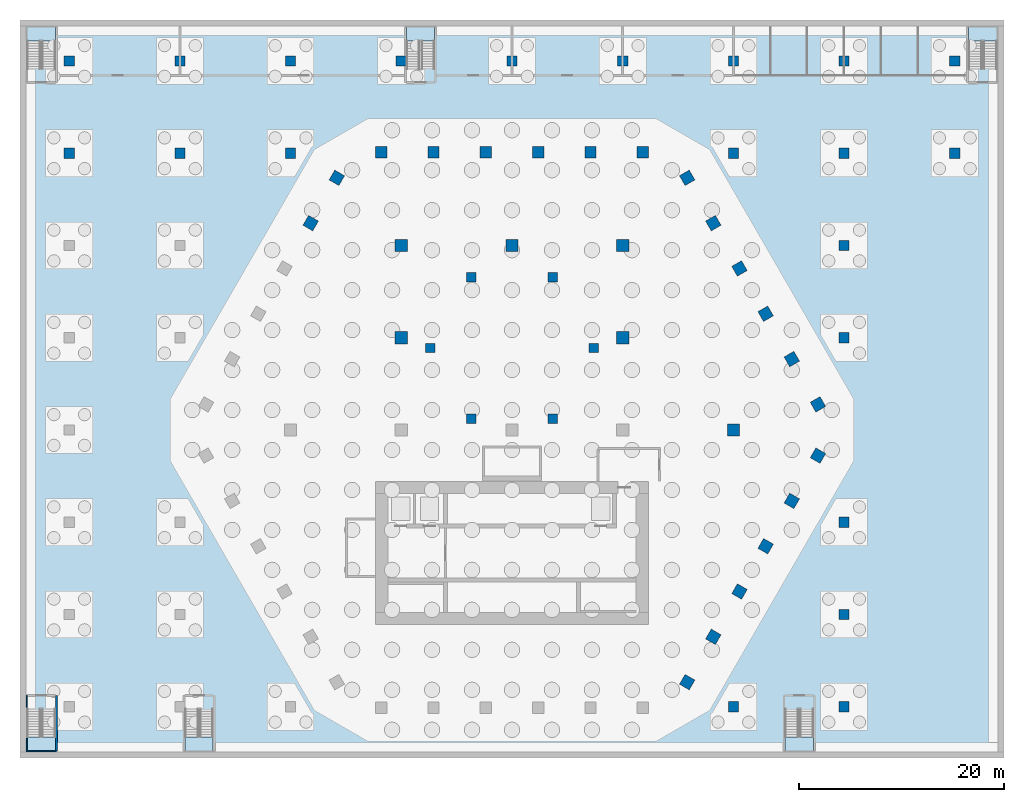
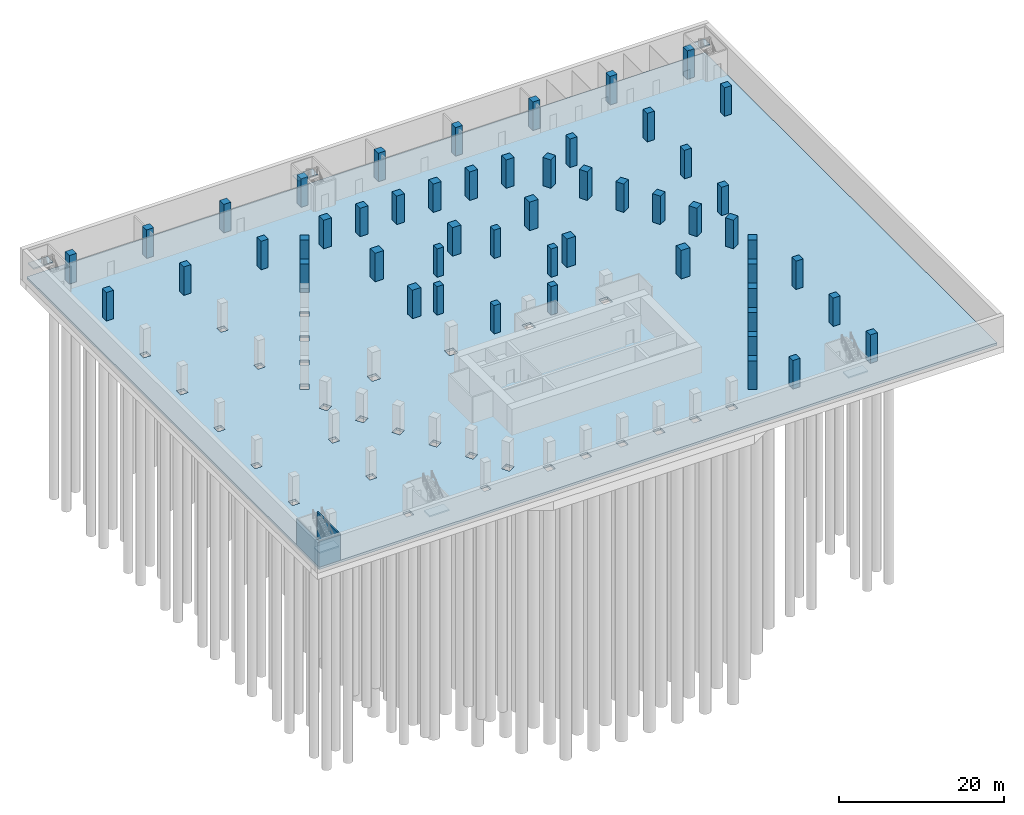
# One storey, part 3 of 21: 53 columns, 7 slabs, 3 walls, 6 elements without a shape of their own.
"""IFC4 building model written with IfcOpenShell, lengths in metres."""

from ifc_helpers import new_model, si_unit, direction, frame, frame_2d, origin, origin_2d, place, context, subcontext, project, spatial, polyline, rectangle, outline, extrude, material, layer, layer_set, material_profile, profile_set, type_object, element, aggregate, save


model = new_model("IFC4")

# Units and contexts
model_context = context("Model", 3, precision=1e-05, world=origin(), true_north=direction((0.0, 1.0)))
body_context = subcontext(model_context, "Body", "Model", "MODEL_VIEW")
ifc_project = project(units=[si_unit("LENGTHUNIT", "METRE"), si_unit("AREAUNIT", "SQUARE_METRE"), si_unit("VOLUMEUNIT", "CUBIC_METRE"), si_unit("PLANEANGLEUNIT", "RADIAN"), si_unit("MASSUNIT", "GRAM", prefix="KILO")], contexts=[model_context])

# Site, building, storey
site_placement = place(None, origin())
site = spatial("IfcSite", under=ifc_project, at=site_placement, CompositionType="ELEMENT")
building_placement = place(site_placement, origin())
building = spatial("IfcBuilding", under=site, at=building_placement, Name="Beryl Residences", CompositionType="ELEMENT")
storey_placement = place(building_placement, frame((0.0, 0.0, -8.39990234375)))
storey = spatial("IfcBuildingStorey", under=building, at=storey_placement, Name="B2", CompositionType="ELEMENT", Elevation=-8.39990234375)

# Columns
ifc_material_1 = material(Name="Concrete C80/95", Category="concrete")
ifc_material_profile_1 = material_profile(ifc_material_1, rectangle(XDim=1.10009765625, YDim=1.10009765625, at=origin_2d()))
ifc_profile_set_1 = profile_set([ifc_material_profile_1], Name="Concrete C80/95")
column_type_1 = type_object("IfcColumnType", Name="C1 tube column 1100 x 1100 C80/95", PredefinedType="COLUMN", material=ifc_profile_set_1)
for number, where, z_axis, x_axis, name in (
    (1, (12.759033203125, 27.10009765625, -0.35009765625), (0.0, 0.0, 1.0), (-1.0, 0.0, 0.0), "C1-N1 B2"),
    (2, (7.655029296875, 27.10009765625, -0.35009765625), (0.0, 0.0, 1.0), (-1.0, 0.0, 0.0), "C1-N2 B2"),
    (3, (2.551025390625, 27.10009765625, -0.35009765625), (0.0, 0.0, 1.0), (-1.0, 0.0, 0.0), "C1-N3 B2"),
    (4, (-2.552978515625, 27.10009765625, -0.35009765625), (0.0, 0.0, 1.0), (-1.0, 0.0, 0.0), "C1-N4 B2"),
    (5, (-7.656982421875, 27.10009765625, -0.35009765625), (0.0, 0.0, 1.0), (-1.0, 0.0, 0.0), "C1-N5 B2"),
    (6, (-12.760986328125, 27.10009765625, -0.35009765625), (0.0, 0.0, 1.0), (-1.0, 0.0, 0.0), "C1-N6 B2"),
    (7, (-17.090087890625, 24.60009765625, -0.35009765625), (0.0, 0.0, 1.0), (-0.499984884929, -0.866034130299, 0.0), "C1-NW1 B2"),
    (8, (-19.64208984375, 20.179931640625, -0.35009765625), (0.0, 0.0, 1.0), (-0.499984884929, -0.866034130299, 0.0), "C1-NW2 B2"),
    (9, (17.090087890625, -24.60009765625, -0.35009765625), (0.0, 0.0, 1.0), (0.499984884929, 0.866034130299, 0.0), "C1-SE1 B2"),
    (10, (19.64208984375, -20.179931640625, -0.35009765625), (0.0, 0.0, 1.0), (0.499984884929, 0.866034130299, 0.0), "C1-SE2 B2"),
    (11, (22.194091796875, -15.759033203125, -0.35009765625), (0.0, 0.0, 1.0), (0.499984884929, 0.866034130299, 0.0), "C1-SE3 B2"),
    (12, (24.74609375, -11.339111328125, -0.35009765625), (0.0, 0.0, 1.0), (0.499984884929, 0.866034130299, 0.0), "C1-SE4 B2"),
    (13, (27.298095703125, -6.9189453125, -0.35009765625), (0.0, 0.0, 1.0), (0.499984884929, 0.866034130299, 0.0), "C1-SE5 B2"),
    (14, (29.84912109375, -2.4990234375, -0.35009765625), (0.0, 0.0, 1.0), (0.499984884929, 0.866034130299, 0.0), "C1-SE6 B2"),
    (15, (29.847900390625, 2.5, -0.35009765625), (0.0, 0.0, 1.0), (-0.499984884929, 0.866034130299, 0.0), "C1-NE1 B2"),
    (16, (27.297119140625, 6.9208984375, -0.35009765625), (0.0, 0.0, 1.0), (-0.499984884929, 0.866034130299, 0.0), "C1-NE2 B2"),
    (17, (24.7451171875, 11.341064453125, -0.35009765625), (0.0, 0.0, 1.0), (-0.499984884929, 0.866034130299, 0.0), "C1-NE3 B2"),
    (18, (22.193115234375, 15.760986328125, -0.35009765625), (0.0, 0.0, 1.0), (-0.499984884929, 0.866034130299, 0.0), "C1-NE4 B2"),
    (19, (19.64111328125, 20.180908203125, -0.35009765625), (0.0, 0.0, 1.0), (-0.499984884929, 0.866034130299, 0.0), "C1-NE5 B2"),
    (20, (17.089111328125, 24.60107421875, -0.35009765625), (0.0, 0.0, 1.0), (-0.499984884929, 0.866034130299, 0.0), "C1-NE6 B2"),
):
    element("IfcColumn", number, at=place(storey_placement, frame(where, z_axis=z_axis, x_axis=x_axis)), inside=storey, type_object=column_type_1, Name=name, PredefinedType="COLUMN", context=body_context, shape_type="SweptSolid", body=[
        extrude(rectangle(XDim=1.10009765625, YDim=1.10009765625, at=origin_2d()), origin(), (0.0, 0.0, 1.0), 4.550048828125),
    ])
ifc_material_2 = material(Name="Concrete C80/95", Category="concrete")
ifc_material_profile_2 = material_profile(ifc_material_2, rectangle(XDim=0.89990234375, YDim=0.89990234375, at=origin_2d()))
ifc_profile_set_2 = profile_set([ifc_material_profile_2], Name="Concrete C80/95")
column_type_2 = type_object("IfcColumnType", Name="IC1 interior column 900 x 900 C80/95", PredefinedType="COLUMN", material=ifc_profile_set_2)
for number, where, z_axis, x_axis, name in (
    (21, (3.98388671875, 1.10009765625, -0.35009765625), (0.0, 0.0, 1.0), (1.0, 0.0, 0.0), "IC1-A07 B2"),
    (22, (7.967041015625, 8.0, -0.35009765625), (0.0, 0.0, 1.0), (1.0, 0.0, 0.0), "IC1-A10 B2"),
    (23, (3.98388671875, 14.89990234375, -0.35009765625), (0.0, 0.0, 1.0), (1.0, 0.0, 0.0), "IC1-A13 B2"),
    (24, (-3.98388671875, 14.89990234375, -0.35009765625), (0.0, 0.0, 1.0), (1.0, 0.0, 0.0), "IC1-A16 B2"),
    (25, (-7.967041015625, 8.0, -0.35009765625), (0.0, 0.0, 1.0), (1.0, 0.0, 0.0), "IC1-A19 B2"),
    (26, (-3.98388671875, 1.10009765625, -0.35009765625), (0.0, 0.0, 1.0), (1.0, 0.0, 0.0), "IC1-A22 B2"),
):
    element("IfcColumn", number, at=place(storey_placement, frame(where, z_axis=z_axis, x_axis=x_axis)), inside=storey, type_object=column_type_2, Name=name, PredefinedType="COLUMN", context=body_context, shape_type="SweptSolid", body=[
        extrude(rectangle(XDim=0.89990234375, YDim=0.89990234375, at=origin_2d()), origin(), (0.0, 0.0, 1.0), 4.550048828125),
    ])
ifc_material_3 = material(Name="Concrete C80/95", Category="concrete")
ifc_material_profile_3 = material_profile(ifc_material_3, rectangle(XDim=1.199951171875, YDim=1.199951171875, at=origin_2d()))
ifc_profile_set_3 = profile_set([ifc_material_profile_3], Name="Concrete C80/95")
column_type_3 = type_object("IfcColumnType", Name="IG1 grid column 1200 x 1200 C80/95", PredefinedType="COLUMN", material=ifc_profile_set_3)
for number, where, z_axis, x_axis, name in (
    (27, (-10.800048828125, 9.0, -0.35009765625), (0.0, 0.0, 1.0), (1.0, 0.0, 0.0), "IG-4E B2"),
    (28, (-10.800048828125, 18.0, -0.35009765625), (0.0, 0.0, 1.0), (1.0, 0.0, 0.0), "IG-4F B2"),
    (29, (0.0, 18.0, -0.35009765625), (0.0, 0.0, 1.0), (1.0, 0.0, 0.0), "IG-5F B2"),
    (30, (10.800048828125, 9.0, -0.35009765625), (0.0, 0.0, 1.0), (1.0, 0.0, 0.0), "IG-6E B2"),
    (31, (10.800048828125, 18.0, -0.35009765625), (0.0, 0.0, 1.0), (1.0, 0.0, 0.0), "IG-6F B2"),
    (32, (21.60009765625, 0.0, -0.35009765625), (0.0, 0.0, 1.0), (1.0, 0.0, 0.0), "IG-7D B2"),
):
    element("IfcColumn", number, at=place(storey_placement, frame(where, z_axis=z_axis, x_axis=x_axis)), inside=storey, type_object=column_type_3, Name=name, PredefinedType="COLUMN", context=body_context, shape_type="SweptSolid", body=[
        extrude(rectangle(XDim=1.199951171875, YDim=1.199951171875, at=origin_2d()), origin(), (0.0, 0.0, 1.0), 4.550048828125),
    ])
ifc_material_4 = material(Name="Concrete C50/60", Category="concrete")
ifc_material_profile_4 = material_profile(ifc_material_4, rectangle(XDim=1.0, YDim=1.0, at=origin_2d()))
ifc_profile_set_4 = profile_set([ifc_material_profile_4], Name="Concrete C50/60")
column_type_4 = type_object("IfcColumnType", Name="PCL1 podium column 1000 x 1000 C50/60", PredefinedType="COLUMN", material=ifc_profile_set_4)
for number, where, z_axis, x_axis, name in (
    (33, (-43.199951171875, 27.0, -0.35009765625), (0.0, 0.0, 1.0), (1.0, 0.0, 0.0), "PCL-1G B2"),
    (34, (-43.199951171875, 36.0, -0.35009765625), (0.0, 0.0, 1.0), (1.0, 0.0, 0.0), "PCL-1H B2"),
    (35, (-32.39990234375, 27.0, -0.35009765625), (0.0, 0.0, 1.0), (1.0, 0.0, 0.0), "PCL-2G B2"),
    (36, (-32.39990234375, 36.0, -0.35009765625), (0.0, 0.0, 1.0), (1.0, 0.0, 0.0), "PCL-2H B2"),
    (37, (-21.60009765625, 27.0, -0.35009765625), (0.0, 0.0, 1.0), (1.0, 0.0, 0.0), "PCL-3G B2"),
    (38, (-21.60009765625, 36.0, -0.35009765625), (0.0, 0.0, 1.0), (1.0, 0.0, 0.0), "PCL-3H B2"),
    (39, (-10.800048828125, 36.0, -0.35009765625), (0.0, 0.0, 1.0), (1.0, 0.0, 0.0), "PCL-4H B2"),
    (40, (0.0, 36.0, -0.35009765625), (0.0, 0.0, 1.0), (1.0, 0.0, 0.0), "PCL-5H B2"),
    (41, (10.800048828125, 36.0, -0.35009765625), (0.0, 0.0, 1.0), (1.0, 0.0, 0.0), "PCL-6H B2"),
    (42, (21.60009765625, -27.0, -0.35009765625), (0.0, 0.0, 1.0), (1.0, 0.0, 0.0), "PCL-7A B2"),
    (43, (21.60009765625, 27.0, -0.35009765625), (0.0, 0.0, 1.0), (1.0, 0.0, 0.0), "PCL-7G B2"),
    (44, (21.60009765625, 36.0, -0.35009765625), (0.0, 0.0, 1.0), (1.0, 0.0, 0.0), "PCL-7H B2"),
    (45, (32.39990234375, -27.0, -0.35009765625), (0.0, 0.0, 1.0), (1.0, 0.0, 0.0), "PCL-8A B2"),
    (46, (32.39990234375, -18.0, -0.35009765625), (0.0, 0.0, 1.0), (1.0, 0.0, 0.0), "PCL-8B B2"),
    (47, (32.39990234375, -9.0, -0.35009765625), (0.0, 0.0, 1.0), (1.0, 0.0, 0.0), "PCL-8C B2"),
    (48, (32.39990234375, 9.0, -0.35009765625), (0.0, 0.0, 1.0), (1.0, 0.0, 0.0), "PCL-8E B2"),
    (49, (32.39990234375, 18.0, -0.35009765625), (0.0, 0.0, 1.0), (1.0, 0.0, 0.0), "PCL-8F B2"),
    (50, (32.39990234375, 27.0, -0.35009765625), (0.0, 0.0, 1.0), (1.0, 0.0, 0.0), "PCL-8G B2"),
    (51, (32.39990234375, 36.0, -0.35009765625), (0.0, 0.0, 1.0), (1.0, 0.0, 0.0), "PCL-8H B2"),
    (52, (43.199951171875, 27.0, -0.35009765625), (0.0, 0.0, 1.0), (1.0, 0.0, 0.0), "PCL-9G B2"),
    (53, (43.199951171875, 36.0, -0.35009765625), (0.0, 0.0, 1.0), (1.0, 0.0, 0.0), "PCL-9H B2"),
):
    element("IfcColumn", number, at=place(storey_placement, frame(where, z_axis=z_axis, x_axis=x_axis)), inside=storey, type_object=column_type_4, Name=name, PredefinedType="COLUMN", context=body_context, shape_type="SweptSolid", body=[
        extrude(rectangle(XDim=1.0, YDim=1.0, at=origin_2d()), origin(), (0.0, 0.0, 1.0), 4.550048828125),
    ])

# Slab
ifc_material_5 = material(Name="Concrete C40/50", Category="concrete")
ifc_layer_1 = layer(ifc_material_5, 0.35009765625)
ifc_layer_set_1 = layer_set([ifc_layer_1], Name="SL1 basement slab 350 mm C40/50")
slab_type_1 = type_object("IfcSlabType", Name="SL1 basement slab 350 mm C40/50", PredefinedType="BASESLAB", material=ifc_layer_set_1)
slab_1_placement = place(storey_placement, frame((0.0, 0.0, -0.35009765625)))
element("IfcSlab", 54, at=slab_1_placement, inside=storey, type_object=slab_type_1, Name="B2 slab 1", PredefinedType="BASESLAB", context=body_context, shape_type="SweptSolid", body=[
    extrude(outline(polyline([(-47.39990234375, 39.39990234375), (47.39990234375, 39.39990234375), (47.39990234375, -31.39990234375), (-47.39990234375, -31.39990234375), (-47.39990234375, 39.39990234375)]), holes=[polyline([(42.699951171875, 36.5), (42.699951171875, 35.5), (43.699951171875, 35.5), (43.699951171875, 36.5), (42.699951171875, 36.5)]), polyline([(42.699951171875, 27.5), (42.699951171875, 26.5), (43.699951171875, 26.5), (43.699951171875, 27.5), (42.699951171875, 27.5)]), polyline([(32.89990234375, 9.5), (31.89990234375, 9.5), (31.89990234375, 8.5), (32.89990234375, 8.5), (32.89990234375, 9.5)]), polyline([(32.89990234375, -8.5), (31.89990234375, -8.5), (31.89990234375, -9.5), (32.89990234375, -9.5), (32.89990234375, -8.5)]), polyline([(32.89990234375, -26.5), (31.89990234375, -26.5), (31.89990234375, -27.5), (32.89990234375, -27.5), (32.89990234375, -26.5)]), polyline([(31.89990234375, 36.5), (31.89990234375, 35.5), (32.89990234375, 35.5), (32.89990234375, 36.5), (31.89990234375, 36.5)]), polyline([(31.89990234375, 27.5), (31.89990234375, 26.5), (32.89990234375, 26.5), (32.89990234375, 27.5), (31.89990234375, 27.5)]), polyline([(31.89990234375, 17.5), (32.89990234375, 17.5), (32.89990234375, 18.5), (31.89990234375, 18.5), (31.89990234375, 17.5)]), polyline([(31.89990234375, -18.5), (32.89990234375, -18.5), (32.89990234375, -17.5), (31.89990234375, -17.5), (31.89990234375, -18.5)]), polyline([(30.050048828125, -3.25), (30.60009765625, -2.298095703125), (29.64794921875, -1.748046875), (29.097900390625, -2.699951171875), (30.050048828125, -3.25)]), polyline([(29.096923828125, 2.700927734375), (29.64697265625, 1.7490234375), (30.59912109375, 2.299072265625), (30.049072265625, 3.2509765625), (29.096923828125, 2.700927734375)]), polyline([(27.096923828125, -6.16796875), (26.547119140625, -7.1201171875), (27.4990234375, -7.669921875), (28.049072265625, -6.718017578125), (27.096923828125, -6.16796875)]), polyline([(28.048095703125, 6.719970703125), (27.498046875, 7.672119140625), (26.5458984375, 7.1220703125), (27.095947265625, 6.169921875), (28.048095703125, 6.719970703125)]), polyline([(24.947021484375, -12.090087890625), (25.4970703125, -11.137939453125), (24.544921875, -10.587890625), (23.9951171875, -11.5400390625), (24.947021484375, -12.090087890625)]), polyline([(23.993896484375, 11.5419921875), (24.5439453125, 10.590087890625), (25.49609375, 11.139892578125), (24.946044921875, 12.092041015625), (23.993896484375, 11.5419921875)]), polyline([(22.39501953125, -16.510009765625), (22.945068359375, -15.55810546875), (21.992919921875, -15.008056640625), (21.443115234375, -15.9599609375), (22.39501953125, -16.510009765625)]), polyline([(22.944091796875, 15.56005859375), (22.39404296875, 16.511962890625), (21.44189453125, 15.9619140625), (21.991943359375, 15.010009765625), (22.944091796875, 15.56005859375)]), polyline([(22.199951171875, 0.60009765625), (21.0, 0.60009765625), (21.0, -0.60009765625), (22.199951171875, -0.60009765625), (22.199951171875, 0.60009765625)]), polyline([(22.10009765625, 36.5), (21.10009765625, 36.5), (21.10009765625, 35.5), (22.10009765625, 35.5), (22.10009765625, 36.5)]), polyline([(22.10009765625, 27.5), (21.10009765625, 27.5), (21.10009765625, 26.5), (22.10009765625, 26.5), (22.10009765625, 27.5)]), polyline([(21.10009765625, -27.5), (22.10009765625, -27.5), (22.10009765625, -26.5), (21.10009765625, -26.5), (21.10009765625, -27.5)]), polyline([(19.44091796875, -19.428955078125), (18.89111328125, -20.381103515625), (19.843017578125, -20.930908203125), (20.39306640625, -19.97900390625), (19.44091796875, -19.428955078125)]), polyline([(20.39208984375, 19.97998046875), (19.842041015625, 20.931884765625), (18.889892578125, 20.382080078125), (19.43994140625, 19.429931640625), (20.39208984375, 19.97998046875)]), polyline([(16.888916015625, -23.84912109375), (16.339111328125, -24.801025390625), (17.291015625, -25.35107421875), (17.841064453125, -24.39892578125), (16.888916015625, -23.84912109375)]), polyline([(16.337890625, 24.802001953125), (16.887939453125, 23.85009765625), (17.840087890625, 24.39990234375), (17.2900390625, 25.35205078125), (16.337890625, 24.802001953125)]), polyline([(13.31103515625, -26.550048828125), (12.2109375, -26.550048828125), (12.2109375, -27.64990234375), (13.31103515625, -27.64990234375), (13.31103515625, -26.550048828125)]), polyline([(12.208984375, 26.550048828125), (13.30908203125, 26.550048828125), (13.30908203125, 27.64990234375), (12.208984375, 27.64990234375), (12.208984375, 26.550048828125)]), polyline([(10.199951171875, 18.60009765625), (10.199951171875, 17.39990234375), (11.39990234375, 17.39990234375), (11.39990234375, 18.60009765625), (10.199951171875, 18.60009765625)]), polyline([(10.199951171875, 8.39990234375), (11.39990234375, 8.39990234375), (11.39990234375, 9.60009765625), (10.199951171875, 9.60009765625), (10.199951171875, 8.39990234375)]), polyline([(10.199951171875, -0.60009765625), (11.39990234375, -0.60009765625), (11.39990234375, 0.60009765625), (10.199951171875, 0.60009765625), (10.199951171875, -0.60009765625)]), polyline([(11.300048828125, 36.5), (10.300048828125, 36.5), (10.300048828125, 35.5), (11.300048828125, 35.5), (11.300048828125, 36.5)]), polyline([(8.4169921875, 8.449951171875), (7.51708984375, 8.449951171875), (7.51708984375, 7.550048828125), (8.4169921875, 7.550048828125), (8.4169921875, 8.449951171875)]), polyline([(8.20703125, -26.550048828125), (7.10693359375, -26.550048828125), (7.10693359375, -27.64990234375), (8.20703125, -27.64990234375), (8.20703125, -26.550048828125)]), polyline([(8.205078125, 26.550048828125), (8.205078125, 27.64990234375), (7.10498046875, 27.64990234375), (7.10498046875, 26.550048828125), (8.205078125, 26.550048828125)]), polyline([(4.43408203125, 15.35009765625), (3.533935546875, 15.35009765625), (3.533935546875, 14.449951171875), (4.43408203125, 14.449951171875), (4.43408203125, 15.35009765625)]), polyline([(3.533935546875, 1.550048828125), (3.533935546875, 0.64990234375), (4.43408203125, 0.64990234375), (4.43408203125, 1.550048828125), (3.533935546875, 1.550048828125)]), polyline([(3.10302734375, -26.550048828125), (2.0029296875, -26.550048828125), (2.0029296875, -27.64990234375), (3.10302734375, -27.64990234375), (3.10302734375, -26.550048828125)]), polyline([(2.0009765625, 26.550048828125), (3.10107421875, 26.550048828125), (3.10107421875, 27.64990234375), (2.0009765625, 27.64990234375), (2.0009765625, 26.550048828125)]), polyline([(0.60009765625, 0.60009765625), (-0.60009765625, 0.60009765625), (-0.60009765625, -0.60009765625), (0.60009765625, -0.60009765625), (0.60009765625, 0.60009765625)]), polyline([(-0.60009765625, 18.60009765625), (-0.60009765625, 17.39990234375), (0.60009765625, 17.39990234375), (0.60009765625, 18.60009765625), (-0.60009765625, 18.60009765625)]), polyline([(0.5, 36.5), (-0.5, 36.5), (-0.5, 35.5), (0.5, 35.5), (0.5, 36.5)]), polyline([(-3.10107421875, -27.64990234375), (-2.0009765625, -27.64990234375), (-2.0009765625, -26.550048828125), (-3.10107421875, -26.550048828125), (-3.10107421875, -27.64990234375)]), polyline([(-2.0029296875, 26.550048828125), (-2.0029296875, 27.64990234375), (-3.10302734375, 27.64990234375), (-3.10302734375, 26.550048828125), (-2.0029296875, 26.550048828125)]), polyline([(-4.43408203125, 1.550048828125), (-4.43408203125, 0.64990234375), (-3.533935546875, 0.64990234375), (-3.533935546875, 1.550048828125), (-4.43408203125, 1.550048828125)]), polyline([(-4.43408203125, 14.449951171875), (-3.533935546875, 14.449951171875), (-3.533935546875, 15.35009765625), (-4.43408203125, 15.35009765625), (-4.43408203125, 14.449951171875)]), polyline([(-8.205078125, -27.64990234375), (-7.10498046875, -27.64990234375), (-7.10498046875, -26.550048828125), (-8.205078125, -26.550048828125), (-8.205078125, -27.64990234375)]), polyline([(-7.10693359375, 27.64990234375), (-8.20703125, 27.64990234375), (-8.20703125, 26.550048828125), (-7.10693359375, 26.550048828125), (-7.10693359375, 27.64990234375)]), polyline([(-7.51708984375, 8.449951171875), (-8.4169921875, 8.449951171875), (-8.4169921875, 7.550048828125), (-7.51708984375, 7.550048828125), (-7.51708984375, 8.449951171875)]), polyline([(-10.199951171875, 0.60009765625), (-11.39990234375, 0.60009765625), (-11.39990234375, -0.60009765625), (-10.199951171875, -0.60009765625), (-10.199951171875, 0.60009765625)]), polyline([(-11.39990234375, 17.39990234375), (-10.199951171875, 17.39990234375), (-10.199951171875, 18.60009765625), (-11.39990234375, 18.60009765625), (-11.39990234375, 17.39990234375)]), polyline([(-11.39990234375, 8.39990234375), (-10.199951171875, 8.39990234375), (-10.199951171875, 9.60009765625), (-11.39990234375, 9.60009765625), (-11.39990234375, 8.39990234375)]), polyline([(-11.300048828125, 35.5), (-10.300048828125, 35.5), (-10.300048828125, 36.5), (-11.300048828125, 36.5), (-11.300048828125, 35.5)]), polyline([(-13.30908203125, -27.64990234375), (-12.208984375, -27.64990234375), (-12.208984375, -26.550048828125), (-13.30908203125, -26.550048828125), (-13.30908203125, -27.64990234375)]), polyline([(-12.2109375, 27.64990234375), (-13.31103515625, 27.64990234375), (-13.31103515625, 26.550048828125), (-12.2109375, 26.550048828125), (-12.2109375, 27.64990234375)]), polyline([(-16.337890625, -24.802001953125), (-16.887939453125, -23.85009765625), (-17.840087890625, -24.39990234375), (-17.2900390625, -25.35205078125), (-16.337890625, -24.802001953125)]), polyline([(-17.291015625, 25.35107421875), (-17.841064453125, 24.39892578125), (-16.888916015625, 23.84912109375), (-16.339111328125, 24.801025390625), (-17.291015625, 25.35107421875)]), polyline([(-18.889892578125, -20.382080078125), (-19.43994140625, -19.429931640625), (-20.39208984375, -19.97998046875), (-19.842041015625, -20.931884765625), (-18.889892578125, -20.382080078125)]), polyline([(-19.843017578125, 20.930908203125), (-20.39306640625, 19.97900390625), (-19.44091796875, 19.428955078125), (-18.89111328125, 20.381103515625), (-19.843017578125, 20.930908203125)]), polyline([(-22.199951171875, 0.60009765625), (-22.199951171875, -0.60009765625), (-21.0, -0.60009765625), (-21.0, 0.60009765625), (-22.199951171875, 0.60009765625)]), polyline([(-21.10009765625, 27.5), (-22.10009765625, 27.5), (-22.10009765625, 26.5), (-21.10009765625, 26.5), (-21.10009765625, 27.5)]), polyline([(-22.10009765625, 35.5), (-21.10009765625, 35.5), (-21.10009765625, 36.5), (-22.10009765625, 36.5), (-22.10009765625, 35.5)]), polyline([(-22.10009765625, -27.5), (-21.10009765625, -27.5), (-21.10009765625, -26.5), (-22.10009765625, -26.5), (-22.10009765625, -27.5)]), polyline([(-22.944091796875, -15.56005859375), (-22.39404296875, -16.511962890625), (-21.44189453125, -15.9619140625), (-21.991943359375, -15.010009765625), (-22.944091796875, -15.56005859375)]), polyline([(-21.992919921875, 15.008056640625), (-21.443115234375, 15.9599609375), (-22.39501953125, 16.510009765625), (-22.945068359375, 15.55810546875), (-21.992919921875, 15.008056640625)]), polyline([(-25.49609375, -11.139892578125), (-24.946044921875, -12.092041015625), (-23.993896484375, -11.5419921875), (-24.5439453125, -10.590087890625), (-25.49609375, -11.139892578125)]), polyline([(-24.947021484375, 12.090087890625), (-25.4970703125, 11.137939453125), (-24.544921875, 10.587890625), (-23.9951171875, 11.5400390625), (-24.947021484375, 12.090087890625)]), polyline([(-28.048095703125, -6.719970703125), (-27.498046875, -7.672119140625), (-26.5458984375, -7.1220703125), (-27.095947265625, -6.169921875), (-28.048095703125, -6.719970703125)]), polyline([(-27.4990234375, 7.669921875), (-28.049072265625, 6.718017578125), (-27.096923828125, 6.16796875), (-26.547119140625, 7.1201171875), (-27.4990234375, 7.669921875)]), polyline([(-30.59912109375, -2.299072265625), (-30.049072265625, -3.2509765625), (-29.096923828125, -2.700927734375), (-29.64697265625, -1.7490234375), (-30.59912109375, -2.299072265625)]), polyline([(-29.64794921875, 1.748046875), (-29.097900390625, 2.699951171875), (-30.050048828125, 3.25), (-30.60009765625, 2.298095703125), (-29.64794921875, 1.748046875)]), polyline([(-32.89990234375, 26.5), (-31.89990234375, 26.5), (-31.89990234375, 27.5), (-32.89990234375, 27.5), (-32.89990234375, 26.5)]), polyline([(-32.89990234375, -27.5), (-31.89990234375, -27.5), (-31.89990234375, -26.5), (-32.89990234375, -26.5), (-32.89990234375, -27.5)]), polyline([(-32.89990234375, -17.5), (-32.89990234375, -18.5), (-31.89990234375, -18.5), (-31.89990234375, -17.5), (-32.89990234375, -17.5)]), polyline([(-32.89990234375, 35.5), (-31.89990234375, 35.5), (-31.89990234375, 36.5), (-32.89990234375, 36.5), (-32.89990234375, 35.5)]), polyline([(-31.89990234375, -8.5), (-32.89990234375, -8.5), (-32.89990234375, -9.5), (-31.89990234375, -9.5), (-31.89990234375, -8.5)]), polyline([(-31.89990234375, 9.5), (-32.89990234375, 9.5), (-32.89990234375, 8.5), (-31.89990234375, 8.5), (-31.89990234375, 9.5)]), polyline([(-31.89990234375, 18.5), (-32.89990234375, 18.5), (-32.89990234375, 17.5), (-31.89990234375, 17.5), (-31.89990234375, 18.5)]), polyline([(-42.699951171875, 27.5), (-43.699951171875, 27.5), (-43.699951171875, 26.5), (-42.699951171875, 26.5), (-42.699951171875, 27.5)]), polyline([(-42.699951171875, 9.5), (-43.699951171875, 9.5), (-43.699951171875, 8.5), (-42.699951171875, 8.5), (-42.699951171875, 9.5)]), polyline([(-42.699951171875, -8.5), (-43.699951171875, -8.5), (-43.699951171875, -9.5), (-42.699951171875, -9.5), (-42.699951171875, -8.5)]), polyline([(-43.699951171875, 35.5), (-42.699951171875, 35.5), (-42.699951171875, 36.5), (-43.699951171875, 36.5), (-43.699951171875, 35.5)]), polyline([(-43.699951171875, 17.5), (-42.699951171875, 17.5), (-42.699951171875, 18.5), (-43.699951171875, 18.5), (-43.699951171875, 17.5)]), polyline([(-43.699951171875, 0.5), (-43.699951171875, -0.5), (-42.699951171875, -0.5), (-42.699951171875, 0.5), (-43.699951171875, 0.5)]), polyline([(-43.699951171875, -17.5), (-43.699951171875, -18.5), (-42.699951171875, -18.5), (-42.699951171875, -17.5), (-43.699951171875, -17.5)]), polyline([(-43.699951171875, -27.5), (-42.699951171875, -27.5), (-42.699951171875, -26.5), (-43.699951171875, -26.5), (-43.699951171875, -27.5)])]), origin(), (0.0, 0.0, 1.0), 0.35009765625),
])

# Stair, slab
ifc_material_6 = material(Name="Concrete C40/50", Category="concrete")
stair_type = type_object("IfcStairType", Name="ST1 protected exit stair, half-turn, 1300 mm flights", PredefinedType="HALF_TURN_STAIR", material=ifc_material_6)
stair_1_placement = place(storey_placement, origin())
stair_1 = element("IfcStair", 55, at=stair_1_placement, inside=storey, type_object=stair_type, Name="B2 Basement exit stair 1", PredefinedType="HALF_TURN_STAIR")
ifc_material_7 = material(Name="Concrete C40/50", Category="concrete")
ifc_layer_2 = layer(ifc_material_7, 0.199951171875)
ifc_layer_set_2 = layer_set([ifc_layer_2], Name="SLD1 stair landing 200 mm")
slab_type_2 = type_object("IfcSlabType", Name="SLD1 stair landing 200 mm", PredefinedType="LANDING", material=ifc_layer_set_2)
slab_2_placement = place(storey_placement, frame((0.0, 0.0, 1.89990234375)))
slab_2 = element("IfcSlab", 56, at=slab_2_placement, type_object=slab_type_2, Name="BS-1 landing 1", PredefinedType="LANDING", context=body_context, shape_type="SweptSolid", body=[
    extrude(outline(polyline([(-44.550048828125, 37.949951171875), (-44.550048828125, 39.300048828125), (-47.300048828125, 39.300048828125), (-47.300048828125, 37.949951171875), (-44.550048828125, 37.949951171875)])), origin(), (0.0, 0.0, 1.0), 0.199951171875),
])
aggregate(stair_1, [slab_2])

stair_2_placement = place(storey_placement, origin())
stair_2 = element("IfcStair", 57, at=stair_2_placement, inside=storey, type_object=stair_type, Name="B2 Basement exit stair 2", PredefinedType="HALF_TURN_STAIR")
slab_3_placement = place(storey_placement, frame((0.0, 0.0, 1.89990234375)))
slab_3 = element("IfcSlab", 58, at=slab_3_placement, type_object=slab_type_2, Name="BS-2 landing 1", PredefinedType="LANDING", context=body_context, shape_type="SweptSolid", body=[
    extrude(outline(polyline([(-7.550048828125, 37.949951171875), (-7.550048828125, 39.300048828125), (-10.300048828125, 39.300048828125), (-10.300048828125, 37.949951171875), (-7.550048828125, 37.949951171875)])), origin(), (0.0, 0.0, 1.0), 0.199951171875),
])
aggregate(stair_2, [slab_3])

stair_3_placement = place(storey_placement, origin())
stair_3 = element("IfcStair", 59, at=stair_3_placement, inside=storey, type_object=stair_type, Name="B2 Basement exit stair 3", PredefinedType="HALF_TURN_STAIR")
slab_4_placement = place(storey_placement, frame((0.0, 0.0, 1.89990234375)))
slab_4 = element("IfcSlab", 60, at=slab_4_placement, type_object=slab_type_2, Name="BS-3 landing 1", PredefinedType="LANDING", context=body_context, shape_type="SweptSolid", body=[
    extrude(outline(polyline([(47.300048828125, 37.949951171875), (47.300048828125, 39.300048828125), (44.550048828125, 39.300048828125), (44.550048828125, 37.949951171875), (47.300048828125, 37.949951171875)])), origin(), (0.0, 0.0, 1.0), 0.199951171875),
])
aggregate(stair_3, [slab_4])

stair_4_placement = place(storey_placement, origin())
stair_4 = element("IfcStair", 61, at=stair_4_placement, inside=storey, type_object=stair_type, Name="B2 Basement exit stair 4", PredefinedType="HALF_TURN_STAIR")
slab_5_placement = place(storey_placement, frame((0.0, 0.0, 1.89990234375)))
slab_5 = element("IfcSlab", 62, at=slab_5_placement, type_object=slab_type_2, Name="BS-4 landing 1", PredefinedType="LANDING", context=body_context, shape_type="SweptSolid", body=[
    extrude(outline(polyline([(-47.300048828125, -29.949951171875), (-47.300048828125, -31.300048828125), (-44.550048828125, -31.300048828125), (-44.550048828125, -29.949951171875), (-47.300048828125, -29.949951171875)])), origin(), (0.0, 0.0, 1.0), 0.199951171875),
])
aggregate(stair_4, [slab_5])

stair_5_placement = place(storey_placement, origin())
stair_5 = element("IfcStair", 63, at=stair_5_placement, inside=storey, type_object=stair_type, Name="B2 Basement exit stair 5", PredefinedType="HALF_TURN_STAIR")
slab_6_placement = place(storey_placement, frame((0.0, 0.0, 1.89990234375)))
slab_6 = element("IfcSlab", 64, at=slab_6_placement, type_object=slab_type_2, Name="BS-5 landing 1", PredefinedType="LANDING", context=body_context, shape_type="SweptSolid", body=[
    extrude(outline(polyline([(-31.89990234375, -29.949951171875), (-31.89990234375, -31.300048828125), (-29.14990234375, -31.300048828125), (-29.14990234375, -29.949951171875), (-31.89990234375, -29.949951171875)])), origin(), (0.0, 0.0, 1.0), 0.199951171875),
])
aggregate(stair_5, [slab_6])

stair_6_placement = place(storey_placement, origin())
stair_6 = element("IfcStair", 65, at=stair_6_placement, inside=storey, type_object=stair_type, Name="B2 Basement exit stair 6", PredefinedType="HALF_TURN_STAIR")
slab_7_placement = place(storey_placement, frame((0.0, 0.0, 1.89990234375)))
slab_7 = element("IfcSlab", 66, at=slab_7_placement, type_object=slab_type_2, Name="BS-6 landing 1", PredefinedType="LANDING", context=body_context, shape_type="SweptSolid", body=[
    extrude(outline(polyline([(26.64990234375, -29.949951171875), (26.64990234375, -31.300048828125), (29.39990234375, -31.300048828125), (29.39990234375, -29.949951171875), (26.64990234375, -29.949951171875)])), origin(), (0.0, 0.0, 1.0), 0.199951171875),
])
aggregate(stair_6, [slab_7])

# Walls
ifc_material_8 = material(Name="Concrete C40/50", Category="concrete")
ifc_layer_3 = layer(ifc_material_8, 0.199951171875)
ifc_layer_set_3 = layer_set([ifc_layer_3], Name="PT5 stair enclosure wall 200 mm reinforced concrete C40/50")
wall_type_1 = type_object("IfcWallType", Name="PT5 stair enclosure wall 200 mm reinforced concrete C40/50", PredefinedType="SOLIDWALL", material=ifc_layer_set_3)
wall_1_placement = place(storey_placement, frame((-44.449951171875, -31.300048828125, 0.0), z_axis=(0.0, 0.0, 1.0), x_axis=(0.0, 1.0, 0.0)))
element("IfcWall", 67, at=wall_1_placement, inside=storey, type_object=wall_type_1, Name="Wall PT5 B2 007", PredefinedType="SOLIDWALL", context=body_context, shape_type="SweptSolid", body=[
    extrude(rectangle(XDim=5.400146484375, YDim=0.199951171875, at=frame_2d((2.7001953125, 0.0))), origin(), (0.0, 0.0, 1.0), 3.849853515625),
])
ifc_material_9 = material(Name="Concrete C40/50", Category="concrete")
ifc_layer_4 = layer(ifc_material_9, 0.10009765625)
ifc_layer_set_4 = layer_set([ifc_layer_4], Name="PT5-100 stair enclosure wall 100 mm")
wall_type_2 = type_object("IfcWallType", Name="PT5-100 stair enclosure wall 100 mm", PredefinedType="SOLIDWALL", material=ifc_layer_set_4)
wall_2_placement = place(storey_placement, frame((-47.35009765625, -31.39990234375, 0.0), z_axis=(0.0, 0.0, 1.0), x_axis=(0.0, 1.0, 0.0)))
element("IfcWall", 68, at=wall_2_placement, inside=storey, type_object=wall_type_2, Name="Wall PT5-100 B2 006", PredefinedType="SOLIDWALL", context=body_context, shape_type="SweptSolid", body=[
    extrude(rectangle(XDim=5.5, YDim=0.10009765625, at=frame_2d((2.75, 0.0))), origin(), (0.0, 0.0, 1.0), 3.849853515625),
])
wall_3_placement = place(storey_placement, frame((-47.39990234375, -31.35009765625, 0.0), z_axis=(0.0, 0.0, 1.0), x_axis=(1.0, 0.0, 0.0)))
element("IfcWall", 69, at=wall_3_placement, inside=storey, type_object=wall_type_2, Name="Wall PT5-100 B2 007", PredefinedType="SOLIDWALL", context=body_context, shape_type="SweptSolid", body=[
    extrude(rectangle(XDim=2.949951171875, YDim=0.10009765625, at=frame_2d((1.47509765625, 0.0))), origin(), (0.0, 0.0, 1.0), 3.849853515625),
])

save(model, "model.ifc")
